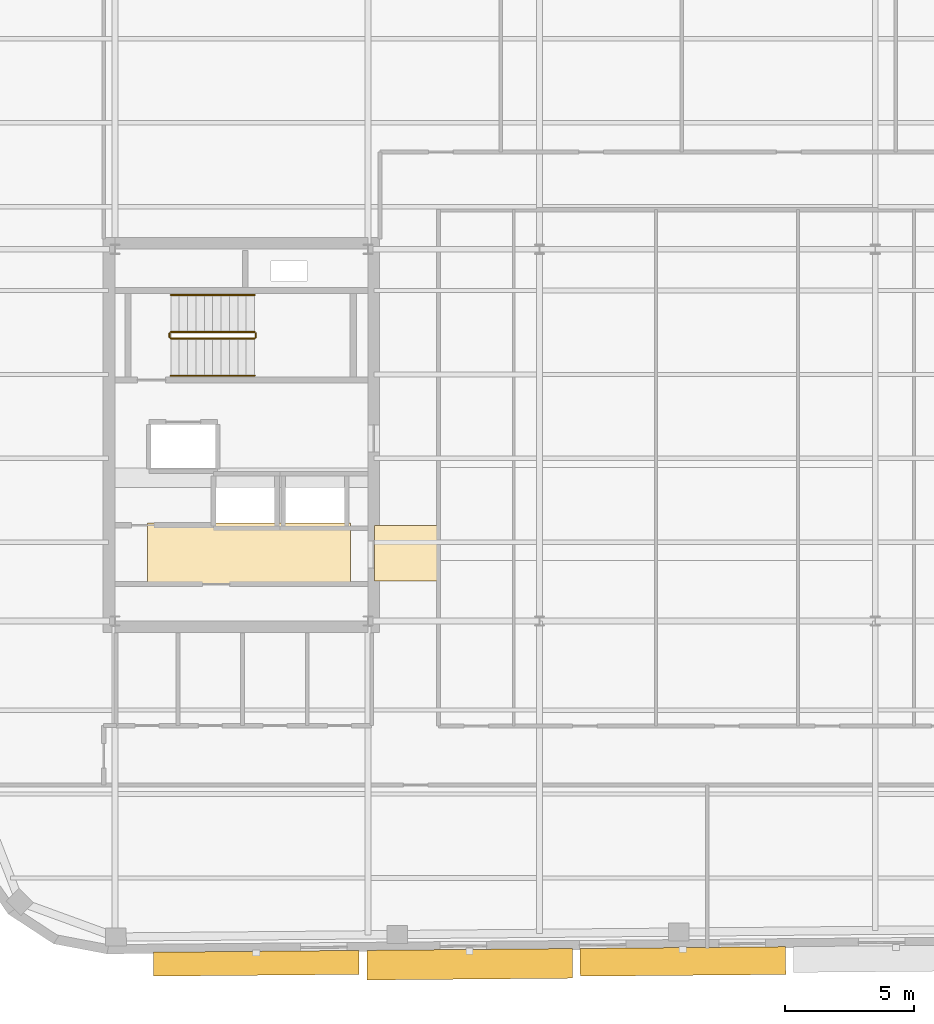
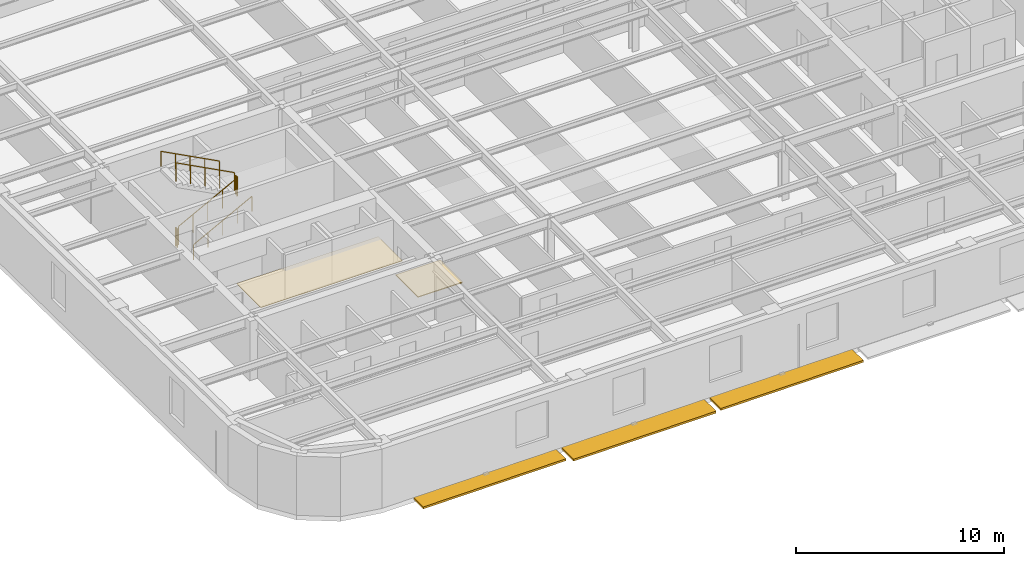
# One storey, part 11 of 14: 6 railings, 3 shading devices, 2 coverings.
"""IFC4 building model written with IfcOpenShell, lengths in metres."""

from ifc_helpers import new_model, si_unit, direction, frame, origin, origin_2d, place, context, subcontext, project, spatial, polyline, rectangle, circle, outline, extrude, material, layer, layer_set, type_object, element, save


model = new_model("IFC4")

# Units and contexts
model_context = context("Model", 3, precision=1e-05, world=origin(), true_north=direction((0.0, 1.0)))
body_context = subcontext(model_context, "Body", "Model", "MODEL_VIEW")
ifc_project = project(units=[si_unit("LENGTHUNIT", "METRE"), si_unit("AREAUNIT", "SQUARE_METRE"), si_unit("VOLUMEUNIT", "CUBIC_METRE"), si_unit("PLANEANGLEUNIT", "RADIAN"), si_unit("MASSUNIT", "GRAM", prefix="KILO")], contexts=[model_context])

# Site, building, storey
site_placement = place(None, origin())
site = spatial("IfcSite", under=ifc_project, at=site_placement, CompositionType="ELEMENT")
building_placement = place(site_placement, origin())
building = spatial("IfcBuilding", under=site, at=building_placement, Name="Kolvaren Arena Tower", CompositionType="ELEMENT")
storey_placement = place(building_placement, frame((0.0, 0.0, 297.39990234375)))
storey = spatial("IfcBuildingStorey", under=building, at=storey_placement, Name="L73", CompositionType="ELEMENT", Elevation=297.39990234375)

# Coverings
ifc_material_1 = material(Name="Moisture-resistant gypsum ceiling", Category="gypsum")
ifc_layer_1 = layer(ifc_material_1, 0.030029296875)
ifc_layer_set_1 = layer_set([ifc_layer_1], Name="Moisture-resistant gypsum ceiling")
covering_type_1 = type_object("IfcCoveringType", Name="CEIL-GYP-1", PredefinedType="CEILING", material=ifc_layer_set_1)
covering_1_placement = place(storey_placement, frame((0.0, 0.0, 2.52001953125)))
element("IfcCovering", 1, at=covering_1_placement, inside=storey, type_object=covering_type_1, Name="Suspended Ceiling (L73)", PredefinedType="CEILING", context=body_context, shape_type="SweptSolid", body=[
    extrude(outline(polyline([(15.820068359375, 20.89990234375), (15.820068359375, 23.239990234375), (23.679931640625, 23.239990234375), (23.679931640625, 20.89990234375), (15.820068359375, 20.89990234375)])), origin(), (0.0, 0.0, 1.0), 0.030029296875),
])
ifc_material_2 = material(Name="Raised access office floor finish", Category="aluminium")
ifc_layer_2 = layer(ifc_material_2, 0.044921875)
ifc_layer_set_2 = layer_set([ifc_layer_2], Name="Raised access office floor finish")
covering_type_2 = type_object("IfcCoveringType", Name="FLOR-RAF-1", PredefinedType="FLOORING", material=ifc_layer_set_2)
covering_2_placement = place(storey_placement, origin())
element("IfcCovering", 2, at=covering_2_placement, inside=storey, type_object=covering_type_2, Name="Floor Finish (L73)", PredefinedType="FLOORING", context=body_context, shape_type="SweptSolid", body=[
    extrude(outline(polyline([(24.60009765625, 21.0), (24.60009765625, 23.14990234375), (27.080078125, 23.14990234375), (27.080078125, 21.0), (24.60009765625, 21.0)])), origin(), (0.0, 0.0, 1.0), 0.045166015625),
])

# Railings
ifc_material_3 = material(Name="Painted galvanized steel", Category="steel")
railing_type_1 = type_object("IfcRailingType", Name="GUARD-ST-110", PredefinedType="GUARDRAIL", material=ifc_material_3)
railing_1_placement = place(storey_placement, frame((16.719970703125, 30.389892578125, 0.170654296875)))
element("IfcRailing", 3, at=railing_1_placement, inside=storey, type_object=railing_type_1, Name="L73 ST-W1 stair guard 1", PredefinedType="GUARDRAIL", context=body_context, shape_type="SweptSolid", body=[
    extrude(circle(Radius=0.02392578125, at=origin_2d()), frame((0.0, 0.0, 1.076171875), z_axis=(0.885020909582, 0.0, 0.465551274945), x_axis=(0.0, 1.0, 0.0)), (0.0, 0.0, 1.0), 3.660888671875),
    extrude(circle(Radius=0.02099609375, at=origin_2d()), origin(), (0.0, 0.0, 1.0), 1.052001953125),
    extrude(circle(Radius=0.02099609375, at=origin_2d()), frame((0.81005859375, 0.0, 0.426025390625)), (0.0, 0.0, 1.0), 1.052001953125),
    extrude(circle(Radius=0.02099609375, at=origin_2d()), frame((1.6201171875, 0.0, 0.85205078125)), (0.0, 0.0, 1.0), 1.052001953125),
    extrude(circle(Radius=0.02099609375, at=origin_2d()), frame((2.429931640625, 0.0, 1.2783203125)), (0.0, 0.0, 1.0), 1.052001953125),
    extrude(circle(Radius=0.02099609375, at=origin_2d()), frame((3.239990234375, 0.0, 1.704345703125)), (0.0, 0.0, 1.0), 1.052001953125),
])
railing_2_placement = place(storey_placement, frame((20.010009765625, 30.43994140625, 1.875)))
element("IfcRailing", 4, at=railing_2_placement, inside=storey, type_object=railing_type_1, Name="L73 ST-W1 stair guard 2", PredefinedType="GUARDRAIL", context=body_context, shape_type="SweptSolid", body=[
    extrude(circle(Radius=0.02392578125, at=origin_2d()), frame((0.0, 0.0, 1.076171875), z_axis=(0.0, 1.0, 0.0), x_axis=(-1.0, 0.0, 0.0)), (0.0, 0.0, 1.0), 0.150146484375),
    extrude(circle(Radius=0.02099609375, at=origin_2d()), origin(), (0.0, 0.0, 1.0), 1.052001953125),
    extrude(circle(Radius=0.02099609375, at=origin_2d()), frame((0.0, 0.150146484375, 0.0)), (0.0, 0.0, 1.0), 1.052001953125),
])
railing_3_placement = place(storey_placement, frame((19.9599609375, 30.639892578125, 2.045654296875)))
element("IfcRailing", 5, at=railing_3_placement, inside=storey, type_object=railing_type_1, Name="L73 ST-W1 stair guard 3", PredefinedType="GUARDRAIL", context=body_context, shape_type="SweptSolid", body=[
    extrude(circle(Radius=0.02392578125, at=origin_2d()), frame((0.0, 0.0, 1.076171875), z_axis=(-0.885020909582, 0.0, 0.465551274945), x_axis=(0.0, -1.0, 0.0)), (0.0, 0.0, 1.0), 3.660888671875),
    extrude(circle(Radius=0.02099609375, at=origin_2d()), origin(), (0.0, 0.0, 1.0), 1.052001953125),
    extrude(circle(Radius=0.02099609375, at=origin_2d()), frame((-0.81005859375, 0.0, 0.426025390625)), (0.0, 0.0, 1.0), 1.052001953125),
    extrude(circle(Radius=0.02099609375, at=origin_2d()), frame((-1.6201171875, 0.0, 0.85205078125)), (0.0, 0.0, 1.0), 1.052001953125),
    extrude(circle(Radius=0.02099609375, at=origin_2d()), frame((-2.429931640625, 0.0, 1.2783203125)), (0.0, 0.0, 1.0), 1.052001953125),
    extrude(circle(Radius=0.02099609375, at=origin_2d()), frame((-3.239990234375, 0.0, 1.704345703125)), (0.0, 0.0, 1.0), 1.052001953125),
])
railing_4_placement = place(storey_placement, frame((16.669921875, 30.43994140625, 0.0)))
element("IfcRailing", 6, at=railing_4_placement, inside=storey, type_object=railing_type_1, Name="L73 ST-W1 stair guard 4", PredefinedType="GUARDRAIL", context=body_context, shape_type="SweptSolid", body=[
    extrude(circle(Radius=0.02392578125, at=origin_2d()), frame((0.0, 0.0, 1.076171875), z_axis=(0.0, 1.0, 0.0), x_axis=(-1.0, 0.0, 0.0)), (0.0, 0.0, 1.0), 0.150146484375),
    extrude(circle(Radius=0.02099609375, at=origin_2d()), origin(), (0.0, 0.0, 1.0), 1.052001953125),
    extrude(circle(Radius=0.02099609375, at=origin_2d()), frame((0.0, 0.150146484375, 0.0)), (0.0, 0.0, 1.0), 1.052001953125),
])
ifc_material_4 = material(Name="Brushed stainless steel handrail", Category="steel")
railing_type_2 = type_object("IfcRailingType", Name="HRAIL-900", PredefinedType="HANDRAIL", material=ifc_material_4)
railing_5_placement = place(storey_placement, frame((16.719970703125, 28.949951171875, 0.170654296875)))
element("IfcRailing", 7, at=railing_5_placement, inside=storey, type_object=railing_type_2, Name="L73 ST-W1 stair handrail 1", PredefinedType="HANDRAIL", context=body_context, shape_type="SweptSolid", body=[
    extrude(circle(Radius=0.02392578125, at=origin_2d()), frame((0.0, 0.0, 0.8759765625), z_axis=(0.885020909582, 0.0, 0.465551274945), x_axis=(0.0, 1.0, 0.0)), (0.0, 0.0, 1.0), 3.660888671875),
    extrude(circle(Radius=0.02099609375, at=origin_2d()), origin(), (0.0, 0.0, 1.0), 0.851806640625),
    extrude(circle(Radius=0.02099609375, at=origin_2d()), frame((0.81005859375, 0.0, 0.426025390625)), (0.0, 0.0, 1.0), 0.851806640625),
    extrude(circle(Radius=0.02099609375, at=origin_2d()), frame((1.6201171875, 0.0, 0.85205078125)), (0.0, 0.0, 1.0), 0.851806640625),
    extrude(circle(Radius=0.02099609375, at=origin_2d()), frame((2.429931640625, 0.0, 1.2783203125)), (0.0, 0.0, 1.0), 0.851806640625),
    extrude(circle(Radius=0.02099609375, at=origin_2d()), frame((3.239990234375, 0.0, 1.704345703125)), (0.0, 0.0, 1.0), 0.851806640625),
])
railing_6_placement = place(storey_placement, frame((19.9599609375, 32.080078125, 2.045654296875)))
element("IfcRailing", 8, at=railing_6_placement, inside=storey, type_object=railing_type_2, Name="L73 ST-W1 stair handrail 2", PredefinedType="HANDRAIL", context=body_context, shape_type="SweptSolid", body=[
    extrude(circle(Radius=0.02392578125, at=origin_2d()), frame((0.0, 0.0, 0.8759765625), z_axis=(-0.885020909582, 0.0, 0.465551274945), x_axis=(0.0, -1.0, 0.0)), (0.0, 0.0, 1.0), 3.660888671875),
    extrude(circle(Radius=0.02099609375, at=origin_2d()), origin(), (0.0, 0.0, 1.0), 0.851806640625),
    extrude(circle(Radius=0.02099609375, at=origin_2d()), frame((-0.81005859375, 0.0, 0.426025390625)), (0.0, 0.0, 1.0), 0.851806640625),
    extrude(circle(Radius=0.02099609375, at=origin_2d()), frame((-1.6201171875, 0.0, 0.85205078125)), (0.0, 0.0, 1.0), 0.851806640625),
    extrude(circle(Radius=0.02099609375, at=origin_2d()), frame((-2.429931640625, 0.0, 1.2783203125)), (0.0, 0.0, 1.0), 0.851806640625),
    extrude(circle(Radius=0.02099609375, at=origin_2d()), frame((-3.239990234375, 0.0, 1.704345703125)), (0.0, 0.0, 1.0), 0.851806640625),
])

# Shading devices
ifc_material_5 = material(Name="Architectural precast GFRC and anodised aluminium sunshade", Category="concrete")
shading_device_type = type_object("IfcShadingDeviceType", Name="SHAD-SINE-A", PredefinedType="USERDEFINED", material=ifc_material_5)
shading_device_1_placement = place(storey_placement, frame((36.551025390625, 6.2646484375, -0.139892578125), z_axis=(0.0, 0.0, 1.0), x_axis=(-0.999961923064, -0.008726535498, 0.0)))
element("IfcShadingDevice", 9, at=shading_device_1_placement, inside=storey, type_object=shading_device_type, Name="Sinusoidal Slab-Edge Sunshade Louvre (L73)", ObjectType="LOUVRE", PredefinedType="USERDEFINED", context=body_context, shape_type="SweptSolid", body=[
    extrude(rectangle(XDim=7.9599609375, YDim=1.074951171875, at=origin_2d()), origin(), (0.0, 0.0, 1.0), 0.1201171875),
])
shading_device_2_placement = place(storey_placement, frame((28.29150390625, 6.15576171875, -0.139892578125), z_axis=(0.0, 0.0, 1.0), x_axis=(-0.999961923064, -0.008726535498, 0.0)))
element("IfcShadingDevice", 10, at=shading_device_2_placement, inside=storey, type_object=shading_device_type, Name="Sinusoidal Slab-Edge Sunshade Louvre (L73)", ObjectType="LOUVRE", PredefinedType="USERDEFINED", context=body_context, shape_type="SweptSolid", body=[
    extrude(rectangle(XDim=7.9599609375, YDim=1.14892578125, at=origin_2d()), origin(), (0.0, 0.0, 1.0), 0.1201171875),
])
shading_device_3_placement = place(storey_placement, frame((20.031005859375, 6.194091796875, -0.139892578125), z_axis=(0.0, 0.0, 1.0), x_axis=(-0.999961923064, -0.008726535498, 0.0)))
element("IfcShadingDevice", 11, at=shading_device_3_placement, inside=storey, type_object=shading_device_type, Name="Sinusoidal Slab-Edge Sunshade Louvre (L73)", ObjectType="LOUVRE", PredefinedType="USERDEFINED", context=body_context, shape_type="SweptSolid", body=[
    extrude(rectangle(XDim=7.9599609375, YDim=0.927978515625, at=origin_2d()), origin(), (0.0, 0.0, 1.0), 0.1201171875),
])

save(model, "model.ifc")
